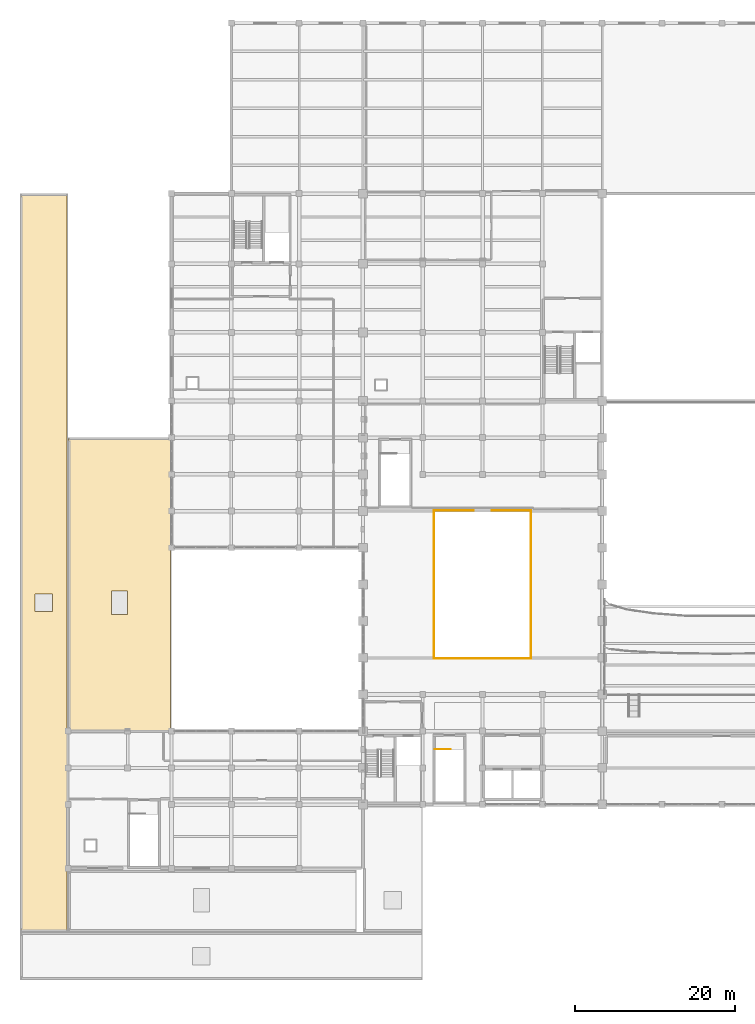
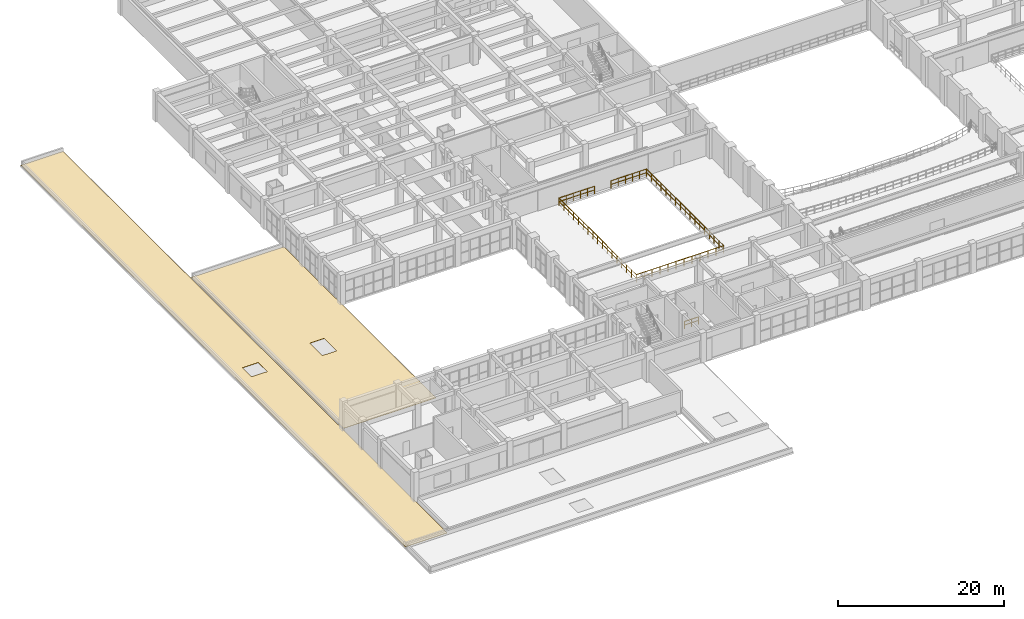
# One storey, part 83 of 90: 6 railings, 2 coverings.
"""IFC4 building model written with IfcOpenShell, lengths in metres."""

from ifc_helpers import new_model, si_unit, direction, frame, origin, origin_2d, place, context, subcontext, project, spatial, polyline, circle, outline, extrude, material, layer, layer_set, type_object, element, save


model = new_model("IFC4")

# Units and contexts
model_context = context("Model", 3, precision=1e-05, world=origin(), true_north=direction((0.0, 1.0)))
body_context = subcontext(model_context, "Body", "Model", "MODEL_VIEW")
ifc_project = project(units=[si_unit("LENGTHUNIT", "METRE"), si_unit("AREAUNIT", "SQUARE_METRE"), si_unit("VOLUMEUNIT", "CUBIC_METRE"), si_unit("PLANEANGLEUNIT", "RADIAN"), si_unit("MASSUNIT", "GRAM", prefix="KILO")], contexts=[model_context])

# Site, building, storey
site_placement = place(None, origin())
site = spatial("IfcSite", under=ifc_project, at=site_placement, CompositionType="ELEMENT")
building_placement = place(site_placement, origin())
building = spatial("IfcBuilding", under=site, at=building_placement, Name="Muzn Square Opera House", CompositionType="ELEMENT")
storey_placement = place(building_placement, frame((0.0, 0.0, 9.800048828125)))
storey = spatial("IfcBuildingStorey", under=building, at=storey_placement, Name="L02", CompositionType="ELEMENT", Elevation=9.800048828125)

# Railings
ifc_material_1 = material(Name="Architectural bronze mashrabiya", Category="metal")
railing_type_1 = type_object("IfcRailingType", Name="Bronze Protective Balustrade 1120mm", PredefinedType="BALUSTRADE", material=ifc_material_1)
railing_1_placement = place(storey_placement, frame((51.919921875, 40.320068359375, 0.0)))
element("IfcRailing", 1, at=railing_1_placement, inside=storey, type_object=railing_type_1, Name="Foyer Light-Well Balustrade L02-0033", PredefinedType="BALUSTRADE", context=body_context, shape_type="SweptSolid", body=[
    extrude(circle(Radius=0.02392578125, at=origin_2d()), frame((0.0, 0.0, 1.09619140625), z_axis=(1.0, 0.0, 0.0), x_axis=(0.0, 1.0, 0.0)), (0.0, 0.0, 1.0), 12.16015625),
    extrude(circle(Radius=0.02392578125, at=origin_2d()), frame((0.0, 0.0, 0.56005859375), z_axis=(1.0, 0.0, 0.0), x_axis=(0.0, 1.0, 0.0)), (0.0, 0.0, 1.0), 12.16015625),
    extrude(circle(Radius=0.02099609375, at=origin_2d()), origin(), (0.0, 0.0, 1.0), 1.072021484375),
    extrude(circle(Radius=0.02099609375, at=origin_2d()), frame((1.10546875, 0.0, 0.0)), (0.0, 0.0, 1.0), 1.072021484375),
    extrude(circle(Radius=0.02099609375, at=origin_2d()), frame((2.2109375, 0.0, 0.0)), (0.0, 0.0, 1.0), 1.072021484375),
    extrude(circle(Radius=0.02099609375, at=origin_2d()), frame((3.31640625, 0.0, 0.0)), (0.0, 0.0, 1.0), 1.072021484375),
    extrude(circle(Radius=0.02099609375, at=origin_2d()), frame((4.421875, 0.0, 0.0)), (0.0, 0.0, 1.0), 1.072021484375),
    extrude(circle(Radius=0.02099609375, at=origin_2d()), frame((5.52734375, 0.0, 0.0)), (0.0, 0.0, 1.0), 1.072021484375),
    extrude(circle(Radius=0.02099609375, at=origin_2d()), frame((6.6328125, 0.0, 0.0)), (0.0, 0.0, 1.0), 1.072021484375),
    extrude(circle(Radius=0.02099609375, at=origin_2d()), frame((7.73828125, 0.0, 0.0)), (0.0, 0.0, 1.0), 1.072021484375),
    extrude(circle(Radius=0.02099609375, at=origin_2d()), frame((8.84375, 0.0, 0.0)), (0.0, 0.0, 1.0), 1.072021484375),
    extrude(circle(Radius=0.02099609375, at=origin_2d()), frame((9.94921875, 0.0, 0.0)), (0.0, 0.0, 1.0), 1.072021484375),
    extrude(circle(Radius=0.02099609375, at=origin_2d()), frame((11.0546875, 0.0, 0.0)), (0.0, 0.0, 1.0), 1.072021484375),
    extrude(circle(Radius=0.02099609375, at=origin_2d()), frame((12.16015625, 0.0, 0.0)), (0.0, 0.0, 1.0), 1.072021484375),
])
railing_2_placement = place(storey_placement, frame((64.080078125, 40.320068359375, 0.0)))
element("IfcRailing", 2, at=railing_2_placement, inside=storey, type_object=railing_type_1, Name="Foyer Light-Well Balustrade L02-0034", PredefinedType="BALUSTRADE", context=body_context, shape_type="SweptSolid", body=[
    extrude(circle(Radius=0.02392578125, at=origin_2d()), frame((0.0, 0.0, 1.09619140625), z_axis=(0.0, 1.0, 0.0), x_axis=(-1.0, 0.0, 0.0)), (0.0, 0.0, 1.0), 18.559814453125),
    extrude(circle(Radius=0.02392578125, at=origin_2d()), frame((0.0, 0.0, 0.56005859375), z_axis=(0.0, 1.0, 0.0), x_axis=(-1.0, 0.0, 0.0)), (0.0, 0.0, 1.0), 18.559814453125),
    extrude(circle(Radius=0.02099609375, at=origin_2d()), origin(), (0.0, 0.0, 1.0), 1.072021484375),
    extrude(circle(Radius=0.02099609375, at=origin_2d()), frame((0.0, 1.159912109375, 0.0)), (0.0, 0.0, 1.0), 1.072021484375),
    extrude(circle(Radius=0.02099609375, at=origin_2d()), frame((0.0, 2.320068359375, 0.0)), (0.0, 0.0, 1.0), 1.072021484375),
    extrude(circle(Radius=0.02099609375, at=origin_2d()), frame((0.0, 3.47998046875, 0.0)), (0.0, 0.0, 1.0), 1.072021484375),
    extrude(circle(Radius=0.02099609375, at=origin_2d()), frame((0.0, 4.639892578125, 0.0)), (0.0, 0.0, 1.0), 1.072021484375),
    extrude(circle(Radius=0.02099609375, at=origin_2d()), frame((0.0, 5.800048828125, 0.0)), (0.0, 0.0, 1.0), 1.072021484375),
    extrude(circle(Radius=0.02099609375, at=origin_2d()), frame((0.0, 6.9599609375, 0.0)), (0.0, 0.0, 1.0), 1.072021484375),
    extrude(circle(Radius=0.02099609375, at=origin_2d()), frame((0.0, 8.119873046875, 0.0)), (0.0, 0.0, 1.0), 1.072021484375),
    extrude(circle(Radius=0.02099609375, at=origin_2d()), frame((0.0, 9.27978515625, 0.0)), (0.0, 0.0, 1.0), 1.072021484375),
    extrude(circle(Radius=0.02099609375, at=origin_2d()), frame((0.0, 10.43994140625, 0.0)), (0.0, 0.0, 1.0), 1.072021484375),
    extrude(circle(Radius=0.02099609375, at=origin_2d()), frame((0.0, 11.599853515625, 0.0)), (0.0, 0.0, 1.0), 1.072021484375),
    extrude(circle(Radius=0.02099609375, at=origin_2d()), frame((0.0, 12.759765625, 0.0)), (0.0, 0.0, 1.0), 1.072021484375),
    extrude(circle(Radius=0.02099609375, at=origin_2d()), frame((0.0, 13.919921875, 0.0)), (0.0, 0.0, 1.0), 1.072021484375),
    extrude(circle(Radius=0.02099609375, at=origin_2d()), frame((0.0, 15.079833984375, 0.0)), (0.0, 0.0, 1.0), 1.072021484375),
    extrude(circle(Radius=0.02099609375, at=origin_2d()), frame((0.0, 16.23974609375, 0.0)), (0.0, 0.0, 1.0), 1.072021484375),
    extrude(circle(Radius=0.02099609375, at=origin_2d()), frame((0.0, 17.39990234375, 0.0)), (0.0, 0.0, 1.0), 1.072021484375),
    extrude(circle(Radius=0.02099609375, at=origin_2d()), frame((0.0, 18.559814453125, 0.0)), (0.0, 0.0, 1.0), 1.072021484375),
])
for number, where, name in (
    (3, (64.080078125, 58.8798828125, 0.0), "Foyer Light-Well Balustrade L02-0035"),
    (4, (56.85009765625, 58.8798828125, 0.0), "Foyer Light-Well Balustrade L02-0036"),
):
    element("IfcRailing", number, at=place(storey_placement, frame(where)), inside=storey, type_object=railing_type_1, Name=name, PredefinedType="BALUSTRADE", context=body_context, shape_type="SweptSolid", body=[
        extrude(circle(Radius=0.02392578125, at=origin_2d()), frame((0.0, 0.0, 1.09619140625), z_axis=(-1.0, 0.0, 0.0), x_axis=(0.0, -1.0, 0.0)), (0.0, 0.0, 1.0), 4.93017578125),
        extrude(circle(Radius=0.02392578125, at=origin_2d()), frame((0.0, 0.0, 0.56005859375), z_axis=(-1.0, 0.0, 0.0), x_axis=(0.0, -1.0, 0.0)), (0.0, 0.0, 1.0), 4.93017578125),
        extrude(circle(Radius=0.02099609375, at=origin_2d()), origin(), (0.0, 0.0, 1.0), 1.072021484375),
        extrude(circle(Radius=0.02099609375, at=origin_2d()), frame((-0.986083984375, 0.0, 0.0)), (0.0, 0.0, 1.0), 1.072021484375),
        extrude(circle(Radius=0.02099609375, at=origin_2d()), frame((-1.97216796875, 0.0, 0.0)), (0.0, 0.0, 1.0), 1.072021484375),
        extrude(circle(Radius=0.02099609375, at=origin_2d()), frame((-2.9580078125, 0.0, 0.0)), (0.0, 0.0, 1.0), 1.072021484375),
        extrude(circle(Radius=0.02099609375, at=origin_2d()), frame((-3.944091796875, 0.0, 0.0)), (0.0, 0.0, 1.0), 1.072021484375),
        extrude(circle(Radius=0.02099609375, at=origin_2d()), frame((-4.93017578125, 0.0, 0.0)), (0.0, 0.0, 1.0), 1.072021484375),
    ])
railing_3_placement = place(storey_placement, frame((51.919921875, 58.8798828125, 0.0)))
element("IfcRailing", 5, at=railing_3_placement, inside=storey, type_object=railing_type_1, Name="Foyer Light-Well Balustrade L02-0037", PredefinedType="BALUSTRADE", context=body_context, shape_type="SweptSolid", body=[
    extrude(circle(Radius=0.02392578125, at=origin_2d()), frame((0.0, 0.0, 1.09619140625), z_axis=(0.0, -1.0, 0.0), x_axis=(1.0, 0.0, 0.0)), (0.0, 0.0, 1.0), 18.559814453125),
    extrude(circle(Radius=0.02392578125, at=origin_2d()), frame((0.0, 0.0, 0.56005859375), z_axis=(0.0, -1.0, 0.0), x_axis=(1.0, 0.0, 0.0)), (0.0, 0.0, 1.0), 18.559814453125),
    extrude(circle(Radius=0.02099609375, at=origin_2d()), origin(), (0.0, 0.0, 1.0), 1.072021484375),
    extrude(circle(Radius=0.02099609375, at=origin_2d()), frame((0.0, -1.159912109375, 0.0)), (0.0, 0.0, 1.0), 1.072021484375),
    extrude(circle(Radius=0.02099609375, at=origin_2d()), frame((0.0, -2.320068359375, 0.0)), (0.0, 0.0, 1.0), 1.072021484375),
    extrude(circle(Radius=0.02099609375, at=origin_2d()), frame((0.0, -3.47998046875, 0.0)), (0.0, 0.0, 1.0), 1.072021484375),
    extrude(circle(Radius=0.02099609375, at=origin_2d()), frame((0.0, -4.639892578125, 0.0)), (0.0, 0.0, 1.0), 1.072021484375),
    extrude(circle(Radius=0.02099609375, at=origin_2d()), frame((0.0, -5.800048828125, 0.0)), (0.0, 0.0, 1.0), 1.072021484375),
    extrude(circle(Radius=0.02099609375, at=origin_2d()), frame((0.0, -6.9599609375, 0.0)), (0.0, 0.0, 1.0), 1.072021484375),
    extrude(circle(Radius=0.02099609375, at=origin_2d()), frame((0.0, -8.119873046875, 0.0)), (0.0, 0.0, 1.0), 1.072021484375),
    extrude(circle(Radius=0.02099609375, at=origin_2d()), frame((0.0, -9.27978515625, 0.0)), (0.0, 0.0, 1.0), 1.072021484375),
    extrude(circle(Radius=0.02099609375, at=origin_2d()), frame((0.0, -10.43994140625, 0.0)), (0.0, 0.0, 1.0), 1.072021484375),
    extrude(circle(Radius=0.02099609375, at=origin_2d()), frame((0.0, -11.599853515625, 0.0)), (0.0, 0.0, 1.0), 1.072021484375),
    extrude(circle(Radius=0.02099609375, at=origin_2d()), frame((0.0, -12.759765625, 0.0)), (0.0, 0.0, 1.0), 1.072021484375),
    extrude(circle(Radius=0.02099609375, at=origin_2d()), frame((0.0, -13.919921875, 0.0)), (0.0, 0.0, 1.0), 1.072021484375),
    extrude(circle(Radius=0.02099609375, at=origin_2d()), frame((0.0, -15.079833984375, 0.0)), (0.0, 0.0, 1.0), 1.072021484375),
    extrude(circle(Radius=0.02099609375, at=origin_2d()), frame((0.0, -16.23974609375, 0.0)), (0.0, 0.0, 1.0), 1.072021484375),
    extrude(circle(Radius=0.02099609375, at=origin_2d()), frame((0.0, -17.39990234375, 0.0)), (0.0, 0.0, 1.0), 1.072021484375),
    extrude(circle(Radius=0.02099609375, at=origin_2d()), frame((0.0, -18.559814453125, 0.0)), (0.0, 0.0, 1.0), 1.072021484375),
])

# Coverings
ifc_material_2 = material(Name="Insulated roof membrane")
ifc_layer = layer(ifc_material_2, 0.050048828125, Name="Insulated roof membrane")
ifc_layer_set = layer_set([ifc_layer], Name="Insulated roof membrane")
covering_type = type_object("IfcCoveringType", Name="Insulated Flat Roof Membrane", PredefinedType="ROOFING", material=ifc_layer_set)
covering_1_placement = place(storey_placement, origin())
element("IfcCovering", 6, at=covering_1_placement, inside=storey, type_object=covering_type, Name="Flat Roof Membrane ROOF-L02-COL-WB", PredefinedType="ROOFING", context=body_context, shape_type="SweptSolid", body=[
    extrude(outline(polyline([(0.10009765625, 6.10009765625), (5.89990234375, 6.10009765625), (5.89990234375, 98.5), (0.10009765625, 98.5), (0.10009765625, 6.10009765625)]), holes=[polyline([(1.89990234375, 46.199951171875), (4.10009765625, 46.199951171875), (4.10009765625, 48.39990234375), (1.89990234375, 48.39990234375), (1.89990234375, 46.199951171875)])]), origin(), (0.0, 0.0, 1.0), 0.050048828125),
])
covering_2_placement = place(storey_placement, origin())
element("IfcCovering", 7, at=covering_2_placement, inside=storey, type_object=covering_type, Name="Flat Roof Membrane ROOF-L02-WOUTER", PredefinedType="ROOFING", context=body_context, shape_type="SweptSolid", body=[
    extrude(outline(polyline([(6.10009765625, 31.300048828125), (18.89990234375, 31.300048828125), (18.89990234375, 67.89990234375), (6.10009765625, 67.89990234375), (6.10009765625, 31.300048828125)]), holes=[polyline([(11.5, 45.800048828125), (13.5, 45.800048828125), (13.5, 48.800048828125), (11.5, 48.800048828125), (11.5, 45.800048828125)])]), origin(), (0.0, 0.0, 1.0), 0.050048828125),
])

# Railing
ifc_material_3 = material(Name="Brushed stainless steel", Category="metal")
railing_type_2 = type_object("IfcRailingType", Name="Stair Guard Railing 1120mm", PredefinedType="GUARDRAIL", material=ifc_material_3)
railing_4_placement = place(storey_placement, frame((52.050048828125, 28.93994140625, 0.0)))
element("IfcRailing", 8, at=railing_4_placement, inside=storey, type_object=railing_type_2, Name="L02 ST-11 top well guard 1", PredefinedType="GUARDRAIL", context=body_context, shape_type="SweptSolid", body=[
    extrude(circle(Radius=0.02392578125, at=origin_2d()), frame((0.0, 0.0, 1.076171875), z_axis=(1.0, 0.0, 0.0), x_axis=(0.0, 1.0, 0.0)), (0.0, 0.0, 1.0), 1.93994140625),
    extrude(circle(Radius=0.02392578125, at=origin_2d()), frame((0.0, 0.0, 0.550048828125), z_axis=(1.0, 0.0, 0.0), x_axis=(0.0, 1.0, 0.0)), (0.0, 0.0, 1.0), 1.93994140625),
    extrude(circle(Radius=0.02099609375, at=origin_2d()), origin(), (0.0, 0.0, 1.0), 1.052001953125),
    extrude(circle(Radius=0.02099609375, at=origin_2d()), frame((0.969970703125, 0.0, 0.0)), (0.0, 0.0, 1.0), 1.052001953125),
    extrude(circle(Radius=0.02099609375, at=origin_2d()), frame((1.93994140625, 0.0, 0.0)), (0.0, 0.0, 1.0), 1.052001953125),
])

save(model, "model.ifc")
